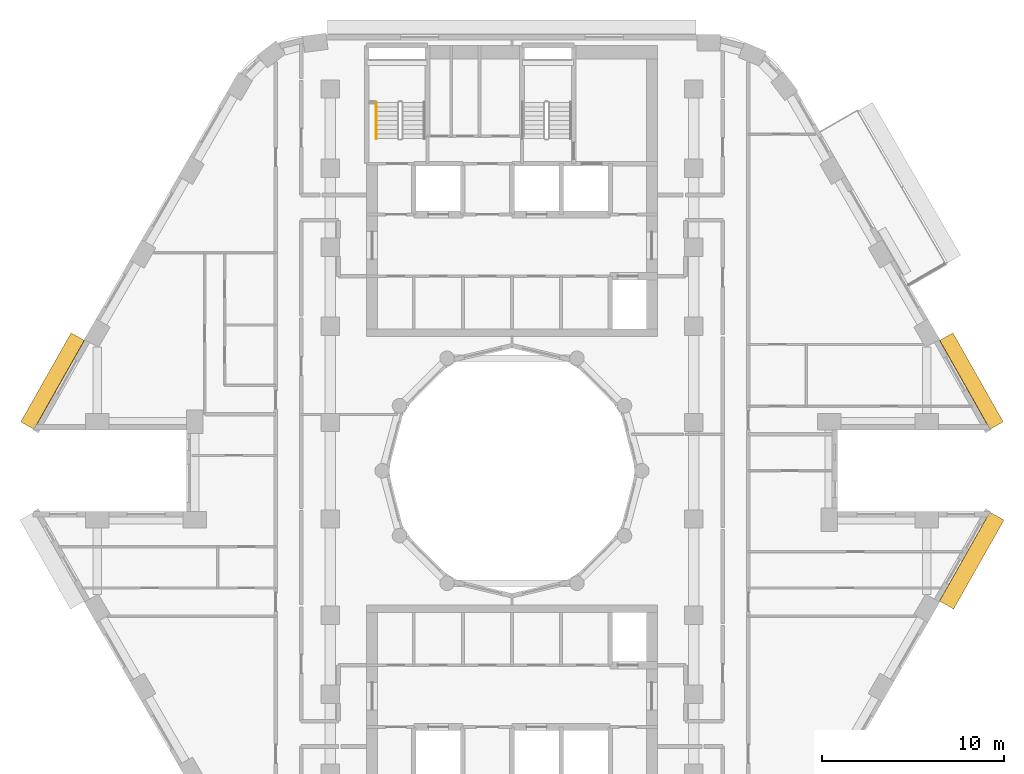
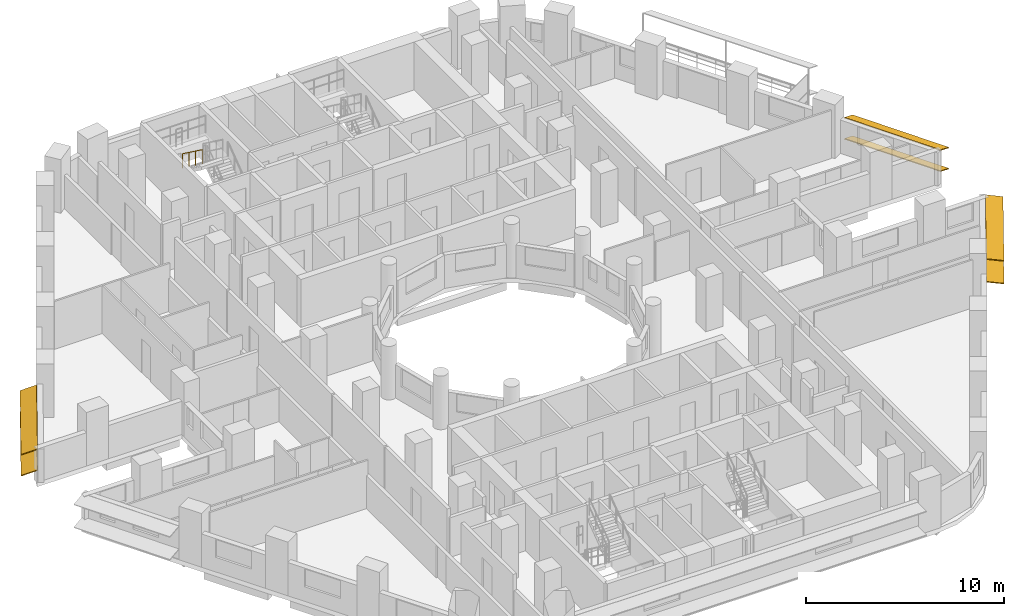
# One storey, part 13 of 14: 6 shading devices, 1 railing.
"""IFC4 building model written with IfcOpenShell, lengths in metres."""

from ifc_helpers import new_model, si_unit, direction, frame, origin, origin_2d, place, context, subcontext, project, spatial, rectangle, circle, extrude, material, material_profile, profile_set, type_object, element, save


model = new_model("IFC4")

# Units and contexts
model_context = context("Model", 3, precision=1e-05, world=origin(), true_north=direction((0.0, 1.0)))
body_context = subcontext(model_context, "Body", "Model", "MODEL_VIEW")
ifc_project = project(units=[si_unit("LENGTHUNIT", "METRE"), si_unit("AREAUNIT", "SQUARE_METRE"), si_unit("VOLUMEUNIT", "CUBIC_METRE"), si_unit("PLANEANGLEUNIT", "RADIAN"), si_unit("MASSUNIT", "GRAM", prefix="KILO")], contexts=[model_context])

# Site, building, storey
site_placement = place(None, origin())
site = spatial("IfcSite", under=ifc_project, at=site_placement, CompositionType="ELEMENT")
building_placement = place(site_placement, origin())
building = spatial("IfcBuilding", under=site, at=building_placement, Name="Nakaniwa Court", CompositionType="ELEMENT")
storey_placement = place(building_placement, frame((0.0, 0.0, 166.800048828125)))
storey = spatial("IfcBuildingStorey", under=building, at=storey_placement, Name="L44", CompositionType="ELEMENT", Elevation=166.800048828125)

# Shading devices
ifc_material_1 = material(Name="Perforated charcoal ceramic louvre blade")
ifc_material_profile = material_profile(ifc_material_1, rectangle(XDim=0.89990234375, YDim=0.050048828125, at=origin_2d()), Name="Perforated ceramic louvre blade")
ifc_profile_set = profile_set([ifc_material_profile], Name="Perforated charcoal ceramic louvre blade")
shading_device_type = type_object("IfcShadingDeviceType", Name="Perforated ceramic louvre blade", PredefinedType="JALOUSIE", material=ifc_profile_set)
for number, where, z_axis, x_axis, name in (
    (1, (106.662353515625, 82.48046875, 0.550048828125), (-0.49253187421, 0.870294405869, 0.0), (-0.804627241022, -0.455368390728, 0.38107037635), "L44 perforated ceramic louvre blade w02 1"),
    (2, (106.662353515625, 82.48046875, 1.845458984375), (-0.49253187421, 0.870294405869, 0.0), (-0.804627241022, -0.455368390728, 0.38107037635), "L44 perforated ceramic louvre blade w02 2"),
    (3, (56.10888671875, 87.377197265625, 0.550048828125), (-0.49253187421, -0.870294405869, 0.0), (0.804627241022, -0.455368390728, 0.38107037635), "L44 perforated ceramic louvre blade w14 1"),
    (4, (56.10888671875, 87.377197265625, 1.845458984375), (-0.49253187421, -0.870294405869, 0.0), (0.804627241022, -0.455368390728, 0.38107037635), "L44 perforated ceramic louvre blade w14 2"),
    (5, (103.911865234375, 72.611083984375, 0.550048828125), (0.49253187421, 0.870294405869, 0.0), (-0.862649339692, 0.488205247786, 0.132256390257), "L44 perforated ceramic louvre blade w32 1"),
    (6, (103.911865234375, 72.611083984375, 1.95556640625), (0.49253187421, 0.870294405869, 0.0), (-0.862649339692, 0.488205247786, 0.132256390257), "L44 perforated ceramic louvre blade w32 2"),
):
    element("IfcShadingDevice", number, at=place(storey_placement, frame(where, z_axis=z_axis, x_axis=x_axis)), inside=storey, type_object=shading_device_type, Name=name, PredefinedType="JALOUSIE", context=body_context, shape_type="SweptSolid", body=[
        extrude(rectangle(XDim=0.89990234375, YDim=0.050048828125, at=origin_2d()), origin(), (0.0, 0.0, 1.0), 5.62646484375),
    ])

# Railing
ifc_material_2 = material(Name="Black powder coated steel handrail", Category="steel")
railing_type = type_object("IfcRailingType", Name="Stair handrail 900", PredefinedType="HANDRAIL", material=ifc_material_2)
railing_placement = place(storey_placement, frame((72.52490234375, 100.27490234375, 1.833251953125)))
element("IfcRailing", 7, at=railing_placement, inside=storey, type_object=railing_type, Name="L44 ST1 stair handrail 2", PredefinedType="HANDRAIL", context=body_context, shape_type="SweptSolid", body=[
    extrude(circle(Radius=0.02392578125, at=origin_2d()), frame((0.0, 0.0, 0.8759765625), z_axis=(0.0, -0.806379959628, 0.591397802423), x_axis=(1.0, 0.0, 0.0)), (0.0, 0.0, 1.0), 2.480224609375),
    extrude(circle(Radius=0.02099609375, at=origin_2d()), origin(), (0.0, 0.0, 1.0), 0.851806640625),
    extrude(circle(Radius=0.02099609375, at=origin_2d()), frame((0.0, -0.666748046875, 0.489013671875)), (0.0, 0.0, 1.0), 0.851806640625),
    extrude(circle(Radius=0.02099609375, at=origin_2d()), frame((0.0, -1.333251953125, 0.977783203125)), (0.0, 0.0, 1.0), 0.851806640625),
    extrude(circle(Radius=0.02099609375, at=origin_2d()), frame((0.0, -2.0, 1.466796875)), (0.0, 0.0, 1.0), 0.851806640625),
])

save(model, "model.ifc")
